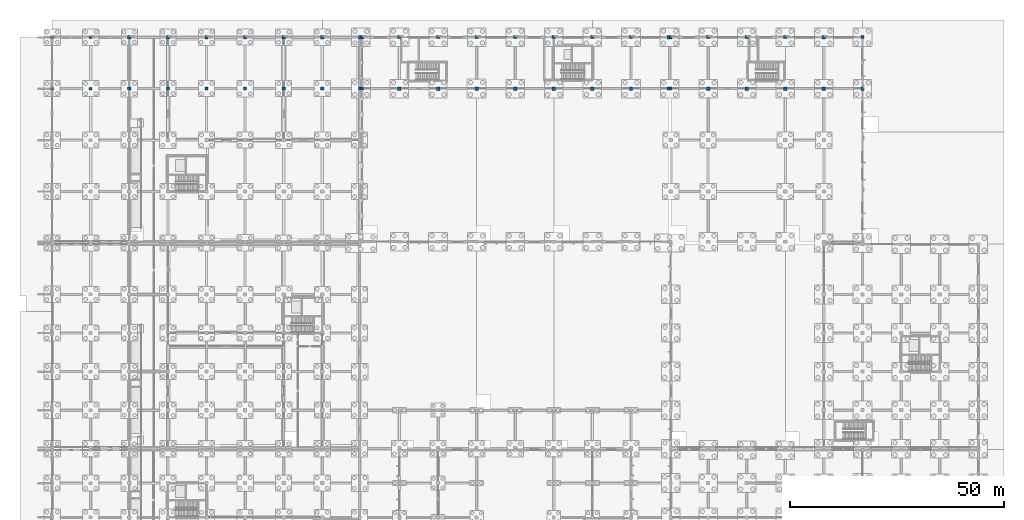
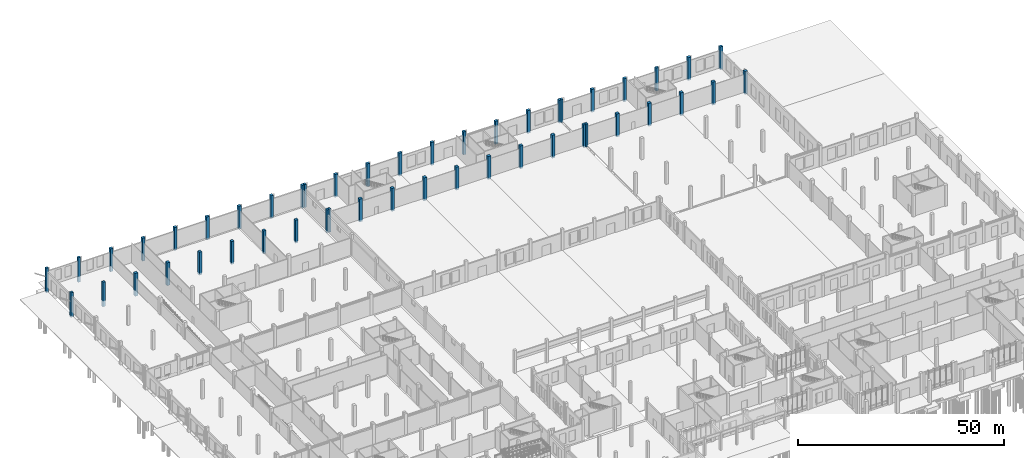
# One storey, part 36 of 99: 48 columns.
"""IFC4 building model written with IfcOpenShell, lengths in metres."""

from ifc_helpers import new_model, si_unit, direction, frame, origin, origin_2d, place, context, subcontext, project, spatial, rectangle, extrude, material, material_profile, profile_set, type_object, element, save


model = new_model("IFC4")

# Units and contexts
model_context = context("Model", 3, precision=1e-05, world=origin(), true_north=direction((0.0, 1.0)))
body_context = subcontext(model_context, "Body", "Model", "MODEL_VIEW")
ifc_project = project(units=[si_unit("LENGTHUNIT", "METRE"), si_unit("AREAUNIT", "SQUARE_METRE"), si_unit("VOLUMEUNIT", "CUBIC_METRE"), si_unit("PLANEANGLEUNIT", "RADIAN"), si_unit("MASSUNIT", "GRAM", prefix="KILO")], contexts=[model_context])

# Site, building, storey
site_placement = place(None, origin())
site = spatial("IfcSite", under=ifc_project, at=site_placement, CompositionType="ELEMENT")
building_placement = place(site_placement, origin())
building = spatial("IfcBuilding", under=site, at=building_placement, Name="Zacnel Wholesale Market", CompositionType="ELEMENT")
storey_placement = place(building_placement, origin())
storey = spatial("IfcBuildingStorey", under=building, at=storey_placement, Name="L01", CompositionType="ELEMENT", Elevation=0.0)

# Columns
ifc_material_1 = material(Name="Precast concrete C45/55", Category="concrete")
ifc_material_profile_1 = material_profile(ifc_material_1, rectangle(XDim=0.550048828125, YDim=0.75, at=origin_2d()), Name="PC 550x750")
ifc_profile_set_1 = profile_set([ifc_material_profile_1], Name="Precast concrete C45/55")
column_type_1 = type_object("IfcColumnType", Name="COL-MJ550X750", PredefinedType="COLUMN", material=ifc_profile_set_1)
for number, where, z_axis, x_axis, name in (
    (1, (71.699951171875, 132.0, -0.5), (0.0, 0.0, 1.0), (1.0, 0.0, 0.0), "Precast column L01-0143"),
    (2, (71.699951171875, 144.0, -0.5), (0.0, 0.0, 1.0), (1.0, 0.0, 0.0), "Precast column L01-0144"),
    (3, (72.300048828125, 132.0, -0.5), (0.0, 0.0, 1.0), (1.0, 0.0, 0.0), "Precast column L01-0150"),
    (4, (72.300048828125, 144.0, -0.5), (0.0, 0.0, 1.0), (1.0, 0.0, 0.0), "Precast column L01-0151"),
    (5, (143.699951171875, 132.0, -0.5), (0.0, 0.0, 1.0), (1.0, 0.0, 0.0), "Precast column L01-0234"),
    (6, (143.699951171875, 144.0, -0.5), (0.0, 0.0, 1.0), (1.0, 0.0, 0.0), "Precast column L01-0235"),
    (7, (144.300048828125, 132.0, -0.5), (0.0, 0.0, 1.0), (1.0, 0.0, 0.0), "Precast column L01-0250"),
    (8, (144.300048828125, 144.0, -0.5), (0.0, 0.0, 1.0), (1.0, 0.0, 0.0), "Precast column L01-0251"),
):
    element("IfcColumn", number, at=place(storey_placement, frame(where, z_axis=z_axis, x_axis=x_axis)), inside=storey, type_object=column_type_1, Name=name, PredefinedType="COLUMN", context=body_context, shape_type="SweptSolid", body=[
        extrude(rectangle(XDim=0.550048828125, YDim=0.75, at=origin_2d()), origin(), (0.0, 0.0, 1.0), 6.800048828125),
    ])
ifc_material_2 = material(Name="Precast concrete C45/55", Category="concrete")
ifc_material_profile_2 = material_profile(ifc_material_2, rectangle(XDim=0.699951171875, YDim=0.60009765625, at=origin_2d()), Name="PC 700x600")
ifc_profile_set_2 = profile_set([ifc_material_profile_2], Name="Precast concrete C45/55")
column_type_2 = type_object("IfcColumnType", Name="COL-PC700X600", PredefinedType="COLUMN", material=ifc_profile_set_2)
for number, where, z_axis, x_axis, name in (
    (9, (0.0, 132.0, -0.5), (0.0, 0.0, 1.0), (1.0, 0.0, 0.0), "Precast column L01-0014"),
    (10, (0.0, 144.0, -0.5), (0.0, 0.0, 1.0), (1.0, 0.0, 0.0), "Precast column L01-0015"),
    (11, (9.0, 132.0, -0.5), (0.0, 0.0, 1.0), (1.0, 0.0, 0.0), "Precast column L01-0029"),
    (12, (9.0, 144.0, -0.5), (0.0, 0.0, 1.0), (1.0, 0.0, 0.0), "Precast column L01-0030"),
):
    element("IfcColumn", number, at=place(storey_placement, frame(where, z_axis=z_axis, x_axis=x_axis)), inside=storey, type_object=column_type_2, Name=name, PredefinedType="COLUMN", context=body_context, shape_type="SweptSolid", body=[
        extrude(rectangle(XDim=0.699951171875, YDim=0.60009765625, at=origin_2d()), origin(), (0.0, 0.0, 1.0), 7.300048828125),
    ])
ifc_material_3 = material(Name="Precast concrete C45/55", Category="concrete")
ifc_material_profile_3 = material_profile(ifc_material_3, rectangle(XDim=0.75, YDim=0.75, at=origin_2d()), Name="PC 750x750")
ifc_profile_set_3 = profile_set([ifc_material_profile_3], Name="Precast concrete C45/55")
column_type_3 = type_object("IfcColumnType", Name="COL-PC750", PredefinedType="COLUMN", material=ifc_profile_set_3)
for number, where, z_axis, x_axis, name in (
    (13, (18.0, 132.0, -0.5), (0.0, 0.0, 1.0), (1.0, 0.0, 0.0), "Precast column L01-0044"),
    (14, (18.0, 144.0, -0.5), (0.0, 0.0, 1.0), (1.0, 0.0, 0.0), "Precast column L01-0045"),
    (15, (27.0, 132.0, -0.5), (0.0, 0.0, 1.0), (1.0, 0.0, 0.0), "Precast column L01-0059"),
    (16, (27.0, 144.0, -0.5), (0.0, 0.0, 1.0), (1.0, 0.0, 0.0), "Precast column L01-0060"),
    (17, (36.0, 132.0, -0.5), (0.0, 0.0, 1.0), (1.0, 0.0, 0.0), "Precast column L01-0074"),
    (18, (36.0, 144.0, -0.5), (0.0, 0.0, 1.0), (1.0, 0.0, 0.0), "Precast column L01-0075"),
    (19, (45.0, 132.0, -0.5), (0.0, 0.0, 1.0), (1.0, 0.0, 0.0), "Precast column L01-0089"),
    (20, (45.0, 144.0, -0.5), (0.0, 0.0, 1.0), (1.0, 0.0, 0.0), "Precast column L01-0090"),
    (21, (54.0, 132.0, -0.5), (0.0, 0.0, 1.0), (1.0, 0.0, 0.0), "Precast column L01-0107"),
    (22, (54.0, 144.0, -0.5), (0.0, 0.0, 1.0), (1.0, 0.0, 0.0), "Precast column L01-0108"),
    (23, (63.0, 132.0, -0.5), (0.0, 0.0, 1.0), (1.0, 0.0, 0.0), "Precast column L01-0125"),
    (24, (63.0, 144.0, -0.5), (0.0, 0.0, 1.0), (1.0, 0.0, 0.0), "Precast column L01-0126"),
):
    element("IfcColumn", number, at=place(storey_placement, frame(where, z_axis=z_axis, x_axis=x_axis)), inside=storey, type_object=column_type_3, Name=name, PredefinedType="COLUMN", context=body_context, shape_type="SweptSolid", body=[
        extrude(rectangle(XDim=0.75, YDim=0.75, at=origin_2d()), origin(), (0.0, 0.0, 1.0), 6.800048828125),
    ])
ifc_material_4 = material(Name="Precast concrete C45/55", Category="concrete")
ifc_material_profile_4 = material_profile(ifc_material_4, rectangle(XDim=0.800048828125, YDim=0.800048828125, at=origin_2d()), Name="PC 800x800")
ifc_profile_set_4 = profile_set([ifc_material_profile_4], Name="Precast concrete C45/55")
column_type_4 = type_object("IfcColumnType", Name="COL-PC800", PredefinedType="COLUMN", material=ifc_profile_set_4)
for number, where, z_axis, x_axis, name in (
    (25, (81.0, 132.0, -0.5), (0.0, 0.0, 1.0), (1.0, 0.0, 0.0), "Precast column L01-0162"),
    (26, (90.0, 132.0, -0.5), (0.0, 0.0, 1.0), (1.0, 0.0, 0.0), "Precast column L01-0174"),
    (27, (99.0, 132.0, -0.5), (0.0, 0.0, 1.0), (1.0, 0.0, 0.0), "Precast column L01-0186"),
    (28, (108.0, 132.0, -0.5), (0.0, 0.0, 1.0), (1.0, 0.0, 0.0), "Precast column L01-0195"),
    (29, (117.0, 132.0, -0.5), (0.0, 0.0, 1.0), (1.0, 0.0, 0.0), "Precast column L01-0206"),
    (30, (126.0, 132.0, -0.5), (0.0, 0.0, 1.0), (1.0, 0.0, 0.0), "Precast column L01-0217"),
    (31, (135.0, 132.0, -0.5), (0.0, 0.0, 1.0), (1.0, 0.0, 0.0), "Precast column L01-0228"),
    (32, (153.0, 132.0, -0.5), (0.0, 0.0, 1.0), (1.0, 0.0, 0.0), "Precast column L01-0260"),
    (33, (162.0, 132.0, -0.5), (0.0, 0.0, 1.0), (1.0, 0.0, 0.0), "Precast column L01-0270"),
    (34, (171.0, 132.0, -0.5), (0.0, 0.0, 1.0), (1.0, 0.0, 0.0), "Precast column L01-0280"),
    (35, (180.0, 132.0, -0.5), (0.0, 0.0, 1.0), (1.0, 0.0, 0.0), "Precast column L01-0295"),
    (36, (180.0, 144.0, -0.5), (0.0, 0.0, 1.0), (1.0, 0.0, 0.0), "Precast column L01-0296"),
    (37, (189.0, 132.0, -0.5), (0.0, 0.0, 1.0), (1.0, 0.0, 0.0), "Precast column L01-0311"),
):
    element("IfcColumn", number, at=place(storey_placement, frame(where, z_axis=z_axis, x_axis=x_axis)), inside=storey, type_object=column_type_4, Name=name, PredefinedType="COLUMN", context=body_context, shape_type="SweptSolid", body=[
        extrude(rectangle(XDim=0.800048828125, YDim=0.800048828125, at=origin_2d()), origin(), (0.0, 0.0, 1.0), 6.800048828125),
    ])
ifc_material_5 = material(Name="Precast concrete C45/55", Category="concrete")
ifc_material_profile_5 = material_profile(ifc_material_5, rectangle(XDim=0.800048828125, YDim=0.699951171875, at=origin_2d()), Name="PC 800x700")
ifc_profile_set_5 = profile_set([ifc_material_profile_5], Name="Precast concrete C45/55")
column_type_5 = type_object("IfcColumnType", Name="COL-PC800X700", PredefinedType="COLUMN", material=ifc_profile_set_5)
for number, where, z_axis, x_axis, name in (
    (38, (81.0, 144.0, -0.5), (0.0, 0.0, 1.0), (1.0, 0.0, 0.0), "Precast column L01-0163"),
    (39, (90.0, 144.0, -0.5), (0.0, 0.0, 1.0), (1.0, 0.0, 0.0), "Precast column L01-0175"),
    (40, (99.0, 144.0, -0.5), (0.0, 0.0, 1.0), (1.0, 0.0, 0.0), "Precast column L01-0187"),
    (41, (108.0, 144.0, -0.5), (0.0, 0.0, 1.0), (1.0, 0.0, 0.0), "Precast column L01-0196"),
    (42, (117.0, 144.0, -0.5), (0.0, 0.0, 1.0), (1.0, 0.0, 0.0), "Precast column L01-0207"),
    (43, (126.0, 144.0, -0.5), (0.0, 0.0, 1.0), (1.0, 0.0, 0.0), "Precast column L01-0218"),
    (44, (135.0, 144.0, -0.5), (0.0, 0.0, 1.0), (1.0, 0.0, 0.0), "Precast column L01-0229"),
    (45, (153.0, 144.0, -0.5), (0.0, 0.0, 1.0), (1.0, 0.0, 0.0), "Precast column L01-0261"),
    (46, (162.0, 144.0, -0.5), (0.0, 0.0, 1.0), (1.0, 0.0, 0.0), "Precast column L01-0271"),
    (47, (171.0, 144.0, -0.5), (0.0, 0.0, 1.0), (1.0, 0.0, 0.0), "Precast column L01-0281"),
    (48, (189.0, 144.0, -0.5), (0.0, 0.0, 1.0), (1.0, 0.0, 0.0), "Precast column L01-0312"),
):
    element("IfcColumn", number, at=place(storey_placement, frame(where, z_axis=z_axis, x_axis=x_axis)), inside=storey, type_object=column_type_5, Name=name, PredefinedType="COLUMN", context=body_context, shape_type="SweptSolid", body=[
        extrude(rectangle(XDim=0.800048828125, YDim=0.699951171875, at=origin_2d()), origin(), (0.0, 0.0, 1.0), 6.800048828125),
    ])

save(model, "model.ifc")
